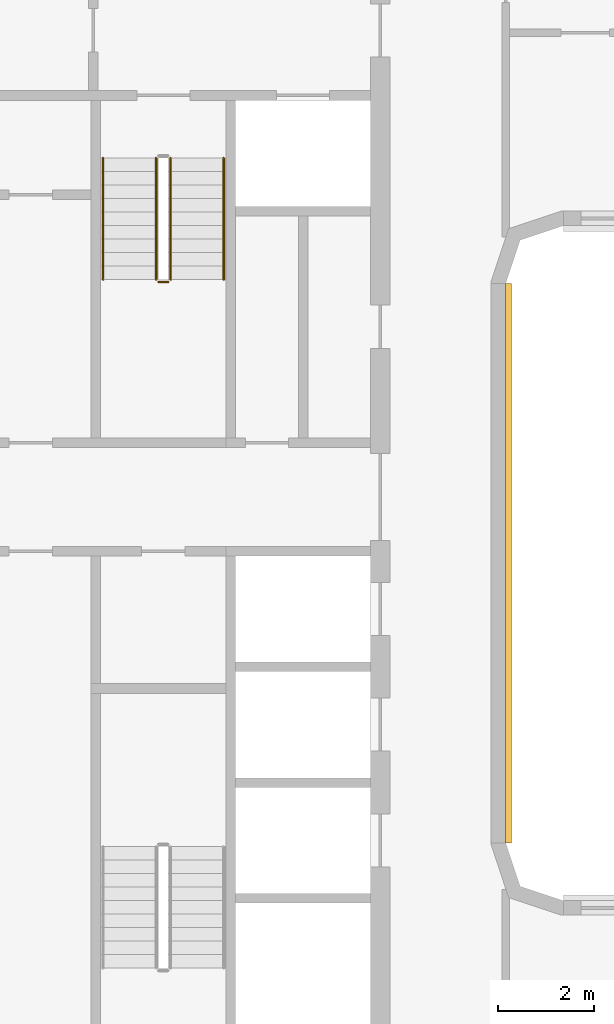
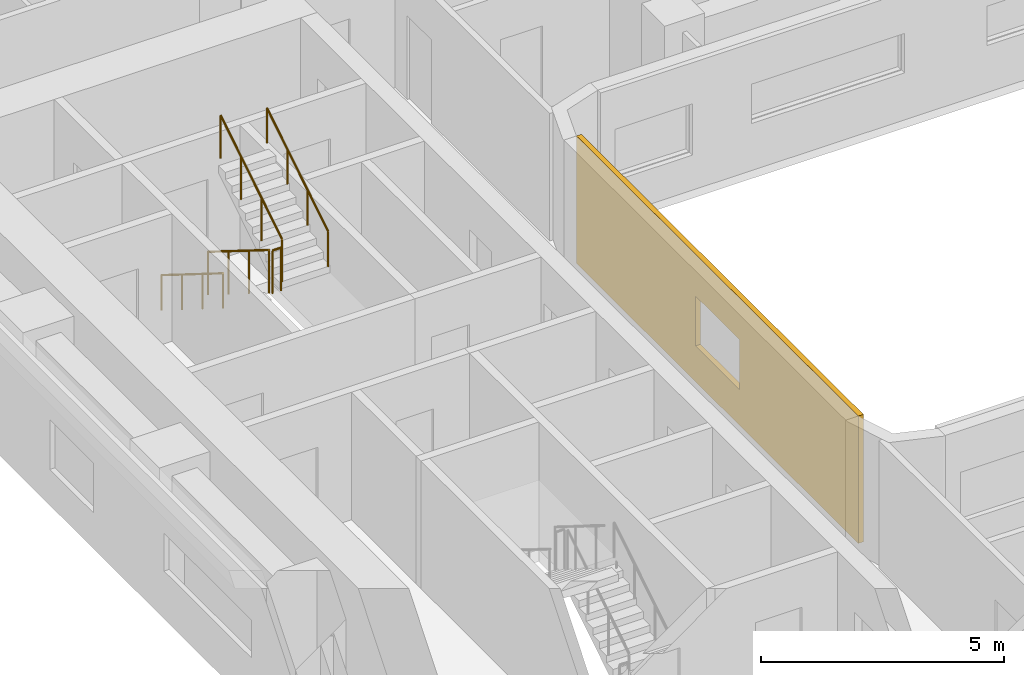
# One storey, part 16 of 23: 5 railings, 1 covering.
"""IFC4 building model written with IfcOpenShell, lengths in metres."""

from ifc_helpers import new_model, si_unit, direction, frame, origin, origin_2d, place, context, subcontext, project, spatial, polyline, circle, outline, extrude, material, layer, layer_set, type_object, element, save


model = new_model("IFC4")

# Units and contexts
model_context = context("Model", 3, precision=1e-05, world=origin(), true_north=direction((0.0, 1.0)))
body_context = subcontext(model_context, "Body", "Model", "MODEL_VIEW")
ifc_project = project(units=[si_unit("LENGTHUNIT", "METRE"), si_unit("AREAUNIT", "SQUARE_METRE"), si_unit("VOLUMEUNIT", "CUBIC_METRE"), si_unit("PLANEANGLEUNIT", "RADIAN"), si_unit("MASSUNIT", "GRAM", prefix="KILO")], contexts=[model_context])

# Site, building, storey
site_placement = place(None, origin())
site = spatial("IfcSite", under=ifc_project, at=site_placement, CompositionType="ELEMENT")
building_placement = place(site_placement, origin())
building = spatial("IfcBuilding", under=site, at=building_placement, Name="Kiln Ring Residences", CompositionType="ELEMENT")
storey_placement = place(building_placement, frame((0.0, 0.0, 107.800048828125)))
storey = spatial("IfcBuildingStorey", under=building, at=storey_placement, Name="L27", CompositionType="ELEMENT", Elevation=107.800048828125)

# Railings
ifc_material_1 = material(Name="Stainless steel", Category="steel")
railing_type_1 = type_object("IfcRailingType", Name="CORE-STAIR-GUARD", PredefinedType="GUARDRAIL", material=ifc_material_1)
railing_1_placement = place(storey_placement, frame((-22.25, 8.39990234375, 0.175048828125)))
element("IfcRailing", 1, at=railing_1_placement, inside=storey, type_object=railing_type_1, Name="L27 W-STN stair guard 1", PredefinedType="GUARDRAIL", context=body_context, shape_type="SweptSolid", body=[
    extrude(circle(Radius=0.02392578125, at=origin_2d()), frame((0.0, 0.0, 1.076171875), z_axis=(0.0, -0.848007534815, 0.529984170421), x_axis=(1.0, 0.0, 0.0)), (0.0, 0.0, 1.0), 2.9716796875),
    extrude(circle(Radius=0.02099609375, at=origin_2d()), origin(), (0.0, 0.0, 1.0), 1.052001953125),
    extrude(circle(Radius=0.02099609375, at=origin_2d()), frame((0.0, -0.840087890625, 0.52490234375)), (0.0, 0.0, 1.0), 1.052001953125),
    extrude(circle(Radius=0.02099609375, at=origin_2d()), frame((0.0, -1.679931640625, 1.050048828125)), (0.0, 0.0, 1.0), 1.052001953125),
    extrude(circle(Radius=0.02099609375, at=origin_2d()), frame((0.0, -2.52001953125, 1.574951171875)), (0.0, 0.0, 1.0), 1.052001953125),
])
railing_2_placement = place(storey_placement, frame((-22.199951171875, 5.830078125, 1.75)))
element("IfcRailing", 2, at=railing_2_placement, inside=storey, type_object=railing_type_1, Name="L27 W-STN stair guard 2", PredefinedType="GUARDRAIL", context=body_context, shape_type="SweptSolid", body=[
    extrude(circle(Radius=0.02392578125, at=origin_2d()), frame((0.0, 0.0, 1.076171875), z_axis=(1.0, 0.0, 0.0), x_axis=(0.0, 1.0, 0.0)), (0.0, 0.0, 1.0), 0.199951171875),
    extrude(circle(Radius=0.02099609375, at=origin_2d()), origin(), (0.0, 0.0, 1.0), 1.052001953125),
    extrude(circle(Radius=0.02099609375, at=origin_2d()), frame((0.199951171875, 0.0, 0.0)), (0.0, 0.0, 1.0), 1.052001953125),
])
railing_3_placement = place(storey_placement, frame((-21.949951171875, 5.8798828125, 1.925048828125)))
element("IfcRailing", 3, at=railing_3_placement, inside=storey, type_object=railing_type_1, Name="L27 W-STN stair guard 3", PredefinedType="GUARDRAIL", context=body_context, shape_type="SweptSolid", body=[
    extrude(circle(Radius=0.02392578125, at=origin_2d()), frame((0.0, 0.0, 1.076171875), z_axis=(0.0, 0.848007534815, 0.529984170421), x_axis=(-1.0, 0.0, 0.0)), (0.0, 0.0, 1.0), 2.9716796875),
    extrude(circle(Radius=0.02099609375, at=origin_2d()), origin(), (0.0, 0.0, 1.0), 1.052001953125),
    extrude(circle(Radius=0.02099609375, at=origin_2d()), frame((0.0, 0.840087890625, 0.52490234375)), (0.0, 0.0, 1.0), 1.052001953125),
    extrude(circle(Radius=0.02099609375, at=origin_2d()), frame((0.0, 1.679931640625, 1.050048828125)), (0.0, 0.0, 1.0), 1.052001953125),
    extrude(circle(Radius=0.02099609375, at=origin_2d()), frame((0.0, 2.52001953125, 1.574951171875)), (0.0, 0.0, 1.0), 1.052001953125),
])
ifc_material_2 = material(Name="Stainless steel", Category="steel")
railing_type_2 = type_object("IfcRailingType", Name="CORE-STAIR-HANDRAIL", PredefinedType="HANDRAIL", material=ifc_material_2)
railing_4_placement = place(storey_placement, frame((-23.35009765625, 8.39990234375, 0.175048828125)))
element("IfcRailing", 4, at=railing_4_placement, inside=storey, type_object=railing_type_2, Name="L27 W-STN stair handrail 1", PredefinedType="HANDRAIL", context=body_context, shape_type="SweptSolid", body=[
    extrude(circle(Radius=0.02392578125, at=origin_2d()), frame((0.0, 0.0, 0.8759765625), z_axis=(0.0, -0.848007534815, 0.529984170421), x_axis=(1.0, 0.0, 0.0)), (0.0, 0.0, 1.0), 2.9716796875),
    extrude(circle(Radius=0.02099609375, at=origin_2d()), origin(), (0.0, 0.0, 1.0), 0.851806640625),
    extrude(circle(Radius=0.02099609375, at=origin_2d()), frame((0.0, -0.840087890625, 0.52490234375)), (0.0, 0.0, 1.0), 0.851806640625),
    extrude(circle(Radius=0.02099609375, at=origin_2d()), frame((0.0, -1.679931640625, 1.050048828125)), (0.0, 0.0, 1.0), 0.851806640625),
    extrude(circle(Radius=0.02099609375, at=origin_2d()), frame((0.0, -2.52001953125, 1.574951171875)), (0.0, 0.0, 1.0), 0.851806640625),
])
railing_5_placement = place(storey_placement, frame((-20.85009765625, 5.8798828125, 1.925048828125)))
element("IfcRailing", 5, at=railing_5_placement, inside=storey, type_object=railing_type_2, Name="L27 W-STN stair handrail 2", PredefinedType="HANDRAIL", context=body_context, shape_type="SweptSolid", body=[
    extrude(circle(Radius=0.02392578125, at=origin_2d()), frame((0.0, 0.0, 0.8759765625), z_axis=(0.0, 0.848007534815, 0.529984170421), x_axis=(-1.0, 0.0, 0.0)), (0.0, 0.0, 1.0), 2.9716796875),
    extrude(circle(Radius=0.02099609375, at=origin_2d()), origin(), (0.0, 0.0, 1.0), 0.851806640625),
    extrude(circle(Radius=0.02099609375, at=origin_2d()), frame((0.0, 0.840087890625, 0.52490234375)), (0.0, 0.0, 1.0), 0.851806640625),
    extrude(circle(Radius=0.02099609375, at=origin_2d()), frame((0.0, 1.679931640625, 1.050048828125)), (0.0, 0.0, 1.0), 0.851806640625),
    extrude(circle(Radius=0.02099609375, at=origin_2d()), frame((0.0, 2.52001953125, 1.574951171875)), (0.0, 0.0, 1.0), 0.851806640625),
])

# Covering
ifc_material_3 = material(Name="Brick masonry, dark clay brick", Category="masonry")
ifc_layer = layer(ifc_material_3, 0.1201171875)
ifc_layer_set = layer_set([ifc_layer], Name="RAINSCREEN PANEL 120")
covering_type = type_object("IfcCoveringType", Name="RAINSCREEN PANEL 120", PredefinedType="CLADDING", material=ifc_layer_set)
covering_placement = place(storey_placement, frame((-14.93994140625, -5.800048828125, 0.0), z_axis=(0.0, 0.0, 1.0), x_axis=(0.0, 1.0, 0.0)))
element("IfcCovering", 6, at=covering_placement, inside=storey, type_object=covering_type, Name="RAINSCREEN L27", PredefinedType="CLADDING", context=body_context, shape_type="SweptSolid", body=[
    extrude(outline(polyline([(0.0, 0.0), (11.60009765625, 0.0), (11.60009765625, 3.199951171875), (0.0, 3.199951171875), (0.0, 0.0)]), holes=[polyline([(4.89990234375, 2.14990234375), (4.89990234375, 0.89990234375), (6.699951171875, 0.89990234375), (6.699951171875, 2.14990234375), (4.89990234375, 2.14990234375)])]), frame((0.0, 0.06005859375, 0.0), z_axis=(0.0, -1.0, 0.0), x_axis=(1.0, 0.0, 0.0)), (0.0, 0.0, 1.0), 0.1201171875),
])

save(model, "model.ifc")
